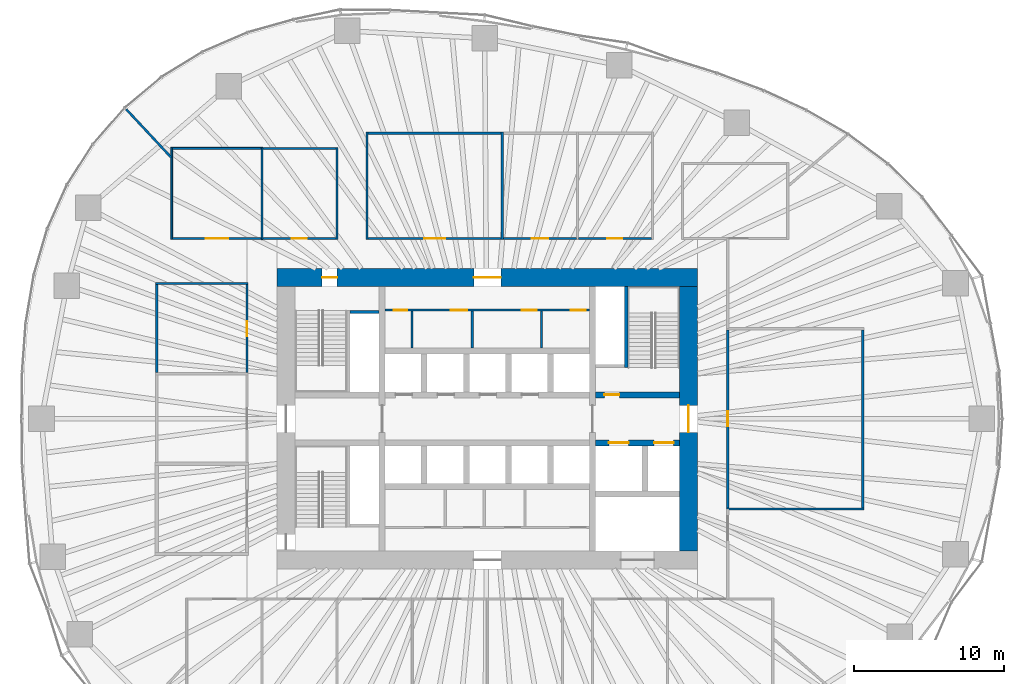
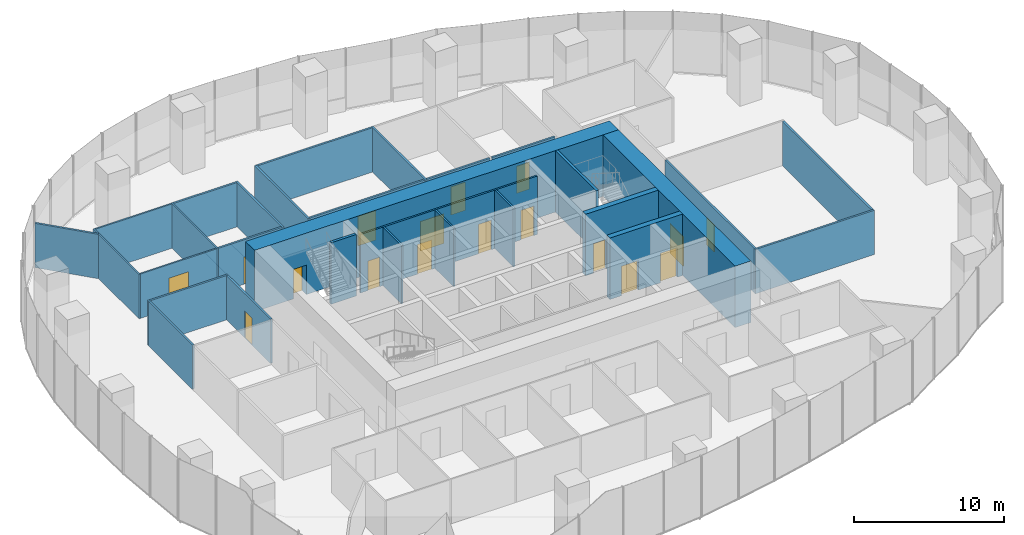
# One storey, part 11 of 20: 30 walls, 17 doors, 17 openings.
"""IFC4 building model written with IfcOpenShell, lengths in metres."""

from ifc_helpers import new_model, si_unit, direction, frame, frame_2d, origin, place, context, subcontext, project, spatial, rectangle, extrude, material, layer, layer_set, type_object, element, fill, save


model = new_model("IFC4")

# Units and contexts
model_context = context("Model", 3, precision=1e-05, world=origin(), true_north=direction((0.0, 1.0)))
body_context = subcontext(model_context, "Body", "Model", "MODEL_VIEW")
ifc_project = project(units=[si_unit("LENGTHUNIT", "METRE"), si_unit("AREAUNIT", "SQUARE_METRE"), si_unit("VOLUMEUNIT", "CUBIC_METRE"), si_unit("PLANEANGLEUNIT", "RADIAN"), si_unit("MASSUNIT", "GRAM", prefix="KILO")], contexts=[model_context])

# Site, building, storey
site_placement = place(None, origin())
site = spatial("IfcSite", under=ifc_project, at=site_placement, CompositionType="ELEMENT")
building_placement = place(site_placement, origin())
building = spatial("IfcBuilding", under=site, at=building_placement, Name="Ghaith Harvest Tower", CompositionType="ELEMENT")
storey_placement = place(building_placement, frame((0.0, 0.0, 55.0)))
storey = spatial("IfcBuildingStorey", under=building, at=storey_placement, Name="L11", CompositionType="ELEMENT", Elevation=55.0)

# Wall, openings, doors
ifc_material_1 = material(Name="Concrete blockwork, fair-faced", Category="masonry")
ifc_layer_1 = layer(ifc_material_1, 0.139892578125)
ifc_layer_set_1 = layer_set([ifc_layer_1], Name="CORE PARTITION 140")
wall_type_1 = type_object("IfcWallType", Name="CORE PARTITION 140", PredefinedType="PARTITIONING", material=ifc_layer_set_1)
wall_1_placement = place(storey_placement, frame((-6.800048828125, 7.22998046875, 0.0), z_axis=(0.0, 0.0, 1.0), x_axis=(1.0, 0.0, 0.0)))
wall_1 = element("IfcWall", 1, at=wall_1_placement, inside=storey, type_object=wall_type_1, Name="Core partition L11", PredefinedType="PARTITIONING", context=body_context, shape_type="SweptSolid", body=[
    extrude(rectangle(XDim=13.60009765625, YDim=0.139892578125, at=frame_2d((6.800048828125, 0.0))), origin(), (0.0, 0.0, 1.0), 4.75),
])
opening_1_placement = place(wall_1_placement, frame((0.580078125, 0.0, 0.0)))
opening_1 = element("IfcOpeningElement", 2, at=opening_1_placement, cuts=wall_1, Name="Opening 11-008", PredefinedType="OPENING", context=body_context, shape_type="SweptSolid", body=[
    extrude(rectangle(XDim=0.89990234375, YDim=2.39990234375, at=frame_2d((0.449951171875, 1.199951171875))), frame((0.0, 0.080078125, 0.0), z_axis=(0.0, -1.0, 0.0), x_axis=(1.0, 0.0, 0.0)), (0.0, 0.0, 1.0), 0.159912109375),
])
opening_2_placement = place(wall_1_placement, frame((4.3798828125, 0.0, 0.0)))
opening_2 = element("IfcOpeningElement", 3, at=opening_2_placement, cuts=wall_1, Name="Opening 11-009", PredefinedType="OPENING", context=body_context, shape_type="SweptSolid", body=[
    extrude(rectangle(XDim=1.10009765625, YDim=2.39990234375, at=frame_2d((0.550048828125, 1.199951171875))), frame((0.0, 0.080078125, 0.0), z_axis=(0.0, -1.0, 0.0), x_axis=(1.0, 0.0, 0.0)), (0.0, 0.0, 1.0), 0.159912109375),
])
opening_3_placement = place(wall_1_placement, frame((9.080078125, 0.0, 0.0)))
opening_3 = element("IfcOpeningElement", 4, at=opening_3_placement, cuts=wall_1, Name="Opening 11-010", PredefinedType="OPENING", context=body_context, shape_type="SweptSolid", body=[
    extrude(rectangle(XDim=1.0, YDim=2.39990234375, at=frame_2d((0.5, 1.199951171875))), frame((0.0, 0.080078125, 0.0), z_axis=(0.0, -1.0, 0.0), x_axis=(1.0, 0.0, 0.0)), (0.0, 0.0, 1.0), 0.159912109375),
])
opening_4_placement = place(wall_1_placement, frame((12.35009765625, 0.0, 0.0)))
opening_4 = element("IfcOpeningElement", 5, at=opening_4_placement, cuts=wall_1, Name="Opening 11-011", PredefinedType="OPENING", context=body_context, shape_type="SweptSolid", body=[
    extrude(rectangle(XDim=1.0, YDim=2.39990234375, at=frame_2d((0.5, 1.199951171875))), frame((0.0, 0.080078125, 0.0), z_axis=(0.0, -1.0, 0.0), x_axis=(1.0, 0.0, 0.0)), (0.0, 0.0, 1.0), 0.159912109375),
])
ifc_material_2 = material(Name="Steel fire door", Category="steel")
door_type_1 = type_object("IfcDoorType", Name="D3 FD90 1000x2400", OperationType="SINGLE_SWING_LEFT", PredefinedType="DOOR", material=ifc_material_2)
door_1_placement = place(opening_3_placement, origin())
door_1 = element("IfcDoor", 6, at=door_1_placement, inside=storey, type_object=door_type_1, Name="Male WC door", OperationType="SINGLE_SWING_RIGHT", OverallHeight=2.39990234375, OverallWidth=1.0, PredefinedType="DOOR", context=body_context, shape_type="SweptSolid", body=[
    extrude(rectangle(XDim=1.0, YDim=2.39990234375, at=frame_2d((0.5, 1.199951171875))), frame((0.0, 0.02490234375, 0.0), z_axis=(0.0, -1.0, 0.0), x_axis=(1.0, 0.0, 0.0)), (0.0, 0.0, 1.0), 0.050048828125),
])
fill(opening_3, door_1)
door_2_placement = place(opening_4_placement, origin())
door_2 = element("IfcDoor", 7, at=door_2_placement, inside=storey, type_object=door_type_1, Name="Female WC door", OperationType="SINGLE_SWING_RIGHT", OverallHeight=2.39990234375, OverallWidth=1.0, PredefinedType="DOOR", context=body_context, shape_type="SweptSolid", body=[
    extrude(rectangle(XDim=1.0, YDim=2.39990234375, at=frame_2d((0.5, 1.199951171875))), frame((0.0, 0.02490234375, 0.0), z_axis=(0.0, -1.0, 0.0), x_axis=(1.0, 0.0, 0.0)), (0.0, 0.0, 1.0), 0.050048828125),
])
fill(opening_4, door_2)
ifc_material_3 = material(Name="Steel fire door", Category="steel")
door_type_2 = type_object("IfcDoorType", Name="D5 FD90 900x2400", OperationType="SINGLE_SWING_LEFT", PredefinedType="DOOR", material=ifc_material_3)
door_3_placement = place(opening_1_placement, origin())
door_3 = element("IfcDoor", 8, at=door_3_placement, inside=storey, type_object=door_type_2, Name="Cleaner's store door", OperationType="SINGLE_SWING_LEFT", OverallHeight=2.39990234375, OverallWidth=0.89990234375, PredefinedType="DOOR", context=body_context, shape_type="SweptSolid", body=[
    extrude(rectangle(XDim=0.89990234375, YDim=2.39990234375, at=frame_2d((0.449951171875, 1.199951171875))), frame((0.0, 0.02490234375, 0.0), z_axis=(0.0, -1.0, 0.0), x_axis=(1.0, 0.0, 0.0)), (0.0, 0.0, 1.0), 0.050048828125),
])
fill(opening_1, door_3)
ifc_material_4 = material(Name="Steel fire door", Category="steel")
door_type_3 = type_object("IfcDoorType", Name="D9 FD90 1100x2400", OperationType="SINGLE_SWING_LEFT", PredefinedType="DOOR", material=ifc_material_4)
door_4_placement = place(opening_2_placement, origin())
door_4 = element("IfcDoor", 9, at=door_4_placement, inside=storey, type_object=door_type_3, Name="Accessible WC door", OperationType="SINGLE_SWING_LEFT", OverallHeight=2.39990234375, OverallWidth=1.10009765625, PredefinedType="DOOR", context=body_context, shape_type="SweptSolid", body=[
    extrude(rectangle(XDim=1.10009765625, YDim=2.39990234375, at=frame_2d((0.550048828125, 1.199951171875))), frame((0.0, 0.02490234375, 0.0), z_axis=(0.0, -1.0, 0.0), x_axis=(1.0, 0.0, 0.0)), (0.0, 0.0, 1.0), 0.050048828125),
])
fill(opening_2, door_4)

# Walls
for number, where, z_axis, x_axis, name in (
    (10, (-5.0, 4.699951171875, 0.0), (0.0, 0.0, 1.0), (0.0, 1.0, 0.0), "Core partition L11"),
    (11, (-1.0, 4.699951171875, 0.0), (0.0, 0.0, 1.0), (0.0, 1.0, 0.0), "Core partition L11"),
    (12, (3.60009765625, 4.699951171875, 0.0), (0.0, 0.0, 1.0), (0.0, 1.0, 0.0), "Core partition L11"),
):
    element("IfcWall", number, at=place(storey_placement, frame(where, z_axis=z_axis, x_axis=x_axis)), inside=storey, type_object=wall_type_1, Name=name, PredefinedType="PARTITIONING", context=body_context, shape_type="SweptSolid", body=[
        extrude(rectangle(XDim=2.4599609375, YDim=0.139892578125, at=frame_2d((1.22998046875, 0.0))), origin(), (0.0, 0.0, 1.0), 4.75),
    ])

# Wall, openings, doors
ifc_material_5 = material(Name="Concrete C70/85", Category="concrete")
ifc_layer_2 = layer(ifc_material_5, 1.199951171875)
ifc_layer_set_2 = layer_set([ifc_layer_2], Name="CORE WALL CW1200")
wall_type_2 = type_object("IfcWallType", Name="CORE WALL CW1200", PredefinedType="SHEAR", material=ifc_layer_set_2)
wall_2_placement = place(storey_placement, frame((14.0, 9.39990234375, 0.0), z_axis=(0.0, 0.0, 1.0), x_axis=(-1.0, 0.0, 0.0)))
wall_2 = element("IfcWall", 13, at=wall_2_placement, inside=storey, type_object=wall_type_2, Name="Core wall N L11", PredefinedType="SHEAR", context=body_context, shape_type="SweptSolid", body=[
    extrude(rectangle(XDim=28.0, YDim=1.199951171875, at=frame_2d((14.0, 0.0))), origin(), (0.0, 0.0, 1.0), 5.0),
])
opening_5_placement = place(wall_2_placement, frame((24.0, 0.0, 0.0)))
opening_5 = element("IfcOpeningElement", 14, at=opening_5_placement, cuts=wall_2, Name="Opening 11-005", PredefinedType="OPENING", context=body_context, shape_type="SweptSolid", body=[
    extrude(rectangle(XDim=1.0, YDim=2.39990234375, at=frame_2d((0.5, 1.199951171875))), frame((0.0, 0.60986328125, 0.0), z_axis=(0.0, -1.0, 0.0), x_axis=(1.0, 0.0, 0.0)), (0.0, 0.0, 1.0), 1.219970703125),
])
opening_6_placement = place(wall_2_placement, frame((13.10009765625, 0.0, 0.0)))
opening_6 = element("IfcOpeningElement", 15, at=opening_6_placement, cuts=wall_2, Name="Opening 11-016", PredefinedType="OPENING", context=body_context, shape_type="SweptSolid", body=[
    extrude(rectangle(XDim=1.800048828125, YDim=2.39990234375, at=frame_2d((0.89990234375, 1.199951171875))), frame((0.0, 0.60986328125, 0.0), z_axis=(0.0, -1.0, 0.0), x_axis=(1.0, 0.0, 0.0)), (0.0, 0.0, 1.0), 1.219970703125),
])
door_5_placement = place(opening_5_placement, origin())
door_5 = element("IfcDoor", 16, at=door_5_placement, inside=storey, type_object=door_type_1, Name="Stair ST1 door", OperationType="SINGLE_SWING_RIGHT", OverallHeight=2.39990234375, OverallWidth=1.0, PredefinedType="DOOR", context=body_context, shape_type="SweptSolid", body=[
    extrude(rectangle(XDim=1.0, YDim=2.39990234375, at=frame_2d((0.5, 1.199951171875))), frame((0.0, 0.02490234375, 0.0), z_axis=(0.0, -1.0, 0.0), x_axis=(1.0, 0.0, 0.0)), (0.0, 0.0, 1.0), 0.050048828125),
])
fill(opening_5, door_5)
ifc_material_6 = material(Name="Steel fire door", Category="steel")
door_type_4 = type_object("IfcDoorType", Name="D4 FD90 PAIR 1800x2400", OperationType="DOUBLE_DOOR_SINGLE_SWING", PredefinedType="DOOR", material=ifc_material_6)
door_6_placement = place(opening_6_placement, origin())
door_6 = element("IfcDoor", 17, at=door_6_placement, inside=storey, type_object=door_type_4, Name="Core service corridor doors", OperationType="DOUBLE_DOOR_SINGLE_SWING", OverallHeight=2.39990234375, OverallWidth=1.800048828125, PredefinedType="DOOR", context=body_context, shape_type="SweptSolid", body=[
    extrude(rectangle(XDim=1.800048828125, YDim=2.39990234375, at=frame_2d((0.89990234375, 1.199951171875))), frame((0.0, 0.02490234375, 0.0), z_axis=(0.0, -1.0, 0.0), x_axis=(1.0, 0.0, 0.0)), (0.0, 0.0, 1.0), 0.050048828125),
])
fill(opening_6, door_6)

# Wall, opening, door
wall_3_placement = place(storey_placement, frame((13.39990234375, -8.800048828125, 0.0), z_axis=(0.0, 0.0, 1.0), x_axis=(0.0, 1.0, 0.0)))
wall_3 = element("IfcWall", 18, at=wall_3_placement, inside=storey, type_object=wall_type_2, Name="Core wall E L11", PredefinedType="SHEAR", context=body_context, shape_type="SweptSolid", body=[
    extrude(rectangle(XDim=17.60009765625, YDim=1.199951171875, at=frame_2d((8.800048828125, 0.0))), origin(), (0.0, 0.0, 1.0), 5.0),
])
opening_7_placement = place(wall_3_placement, frame((7.89990234375, 0.0, 0.0)))
opening_7 = element("IfcOpeningElement", 19, at=opening_7_placement, cuts=wall_3, Name="Opening 11-002", PredefinedType="OPENING", context=body_context, shape_type="SweptSolid", body=[
    extrude(rectangle(XDim=1.800048828125, YDim=2.39990234375, at=frame_2d((0.89990234375, 1.199951171875))), frame((0.0, 0.60986328125, 0.0), z_axis=(0.0, -1.0, 0.0), x_axis=(1.0, 0.0, 0.0)), (0.0, 0.0, 1.0), 1.219970703125),
])
door_7_placement = place(opening_7_placement, origin())
door_7 = element("IfcDoor", 20, at=door_7_placement, inside=storey, type_object=door_type_4, Name="Fire-fighting lobby doors", OperationType="DOUBLE_DOOR_SINGLE_SWING", OverallHeight=2.39990234375, OverallWidth=1.800048828125, PredefinedType="DOOR", context=body_context, shape_type="SweptSolid", body=[
    extrude(rectangle(XDim=1.800048828125, YDim=2.39990234375, at=frame_2d((0.89990234375, 1.199951171875))), frame((0.0, 0.02490234375, 0.0), z_axis=(0.0, -1.0, 0.0), x_axis=(1.0, 0.0, 0.0)), (0.0, 0.0, 1.0), 0.050048828125),
])
fill(opening_7, door_7)

# Walls
ifc_material_7 = material(Name="Insulated food-grade panel", Category="steel")
ifc_layer_3 = layer(ifc_material_7, 0.1201171875)
ifc_layer_set_3 = layer_set([ifc_layer_3], Name="INSULATED PANEL WALL 120")
wall_type_3 = type_object("IfcWallType", Name="INSULATED PANEL WALL 120", PredefinedType="PARTITIONING", material=ifc_layer_set_3)
wall_4_placement = place(storey_placement, frame((-21.0, 11.93994140625, 0.0), z_axis=(0.0, 0.0, 1.0), x_axis=(0.0, 1.0, 0.0)))
element("IfcWall", 21, at=wall_4_placement, inside=storey, type_object=wall_type_3, Name="Partition L11 row N3 cross wall 1", PredefinedType="PARTITIONING", context=body_context, shape_type="SweptSolid", body=[
    extrude(rectangle(XDim=6.1201171875, YDim=0.1201171875, at=frame_2d((3.06005859375, 0.0))), origin(), (0.0, 0.0, 1.0), 3.60009765625),
])
wall_5_placement = place(storey_placement, frame((-15.0, 11.925048828125, 0.0), z_axis=(0.0, 0.0, 1.0), x_axis=(0.0, 1.0, 0.0)))
element("IfcWall", 22, at=wall_5_placement, inside=storey, type_object=wall_type_3, Name="Partition L11 row N3 cross wall 2", PredefinedType="PARTITIONING", context=body_context, shape_type="SweptSolid", body=[
    extrude(rectangle(XDim=6.14990234375, YDim=0.1201171875, at=frame_2d((3.074951171875, 0.0))), origin(), (0.0, 0.0, 1.0), 3.60009765625),
])

# Wall, opening, door
wall_6_placement = place(storey_placement, frame((-20.93994140625, 12.0, 0.0), z_axis=(0.0, 0.0, 1.0), x_axis=(1.0, 0.0, 0.0)))
wall_6 = element("IfcWall", 23, at=wall_6_placement, inside=storey, type_object=wall_type_3, Name="Partition L11-08", PredefinedType="PARTITIONING", context=body_context, shape_type="SweptSolid", body=[
    extrude(rectangle(XDim=5.8798828125, YDim=0.1201171875, at=frame_2d((2.93994140625, 0.0))), origin(), (0.0, 0.0, 1.0), 3.60009765625),
])
opening_8_placement = place(wall_6_placement, frame((2.18994140625, 0.0, 0.0)))
opening_8 = element("IfcOpeningElement", 24, at=opening_8_placement, cuts=wall_6, Name="Opening 11-032", PredefinedType="OPENING", context=body_context, shape_type="SweptSolid", body=[
    extrude(rectangle(XDim=1.5, YDim=2.5, at=frame_2d((0.75, 1.25))), frame((0.0, 0.070068359375, 0.0), z_axis=(0.0, -1.0, 0.0), x_axis=(1.0, 0.0, 0.0)), (0.0, 0.0, 1.0), 0.14013671875),
])
ifc_material_8 = material(Name="Insulated steel sliding door", Category="steel")
door_type_5 = type_object("IfcDoorType", Name="D13 COLD STORE SLIDING 1500x2500", OperationType="SLIDING_TO_LEFT", PredefinedType="DOOR", material=ifc_material_8)
door_8_placement = place(opening_8_placement, origin())
door_8 = element("IfcDoor", 25, at=door_8_placement, inside=storey, type_object=door_type_5, Name="Germination room door", OperationType="SLIDING_TO_LEFT", OverallHeight=2.5, OverallWidth=1.5, PredefinedType="DOOR", context=body_context, shape_type="SweptSolid", body=[
    extrude(rectangle(XDim=1.5, YDim=2.5, at=frame_2d((0.75, 1.25))), frame((0.0, 0.02490234375, 0.0), z_axis=(0.0, -1.0, 0.0), x_axis=(1.0, 0.0, 0.0)), (0.0, 0.0, 1.0), 0.050048828125),
])
fill(opening_8, door_8)

# Walls
wall_7_placement = place(storey_placement, frame((-20.93994140625, 18.0, 0.0), z_axis=(0.0, 0.0, 1.0), x_axis=(1.0, 0.0, 0.0)))
element("IfcWall", 26, at=wall_7_placement, inside=storey, type_object=wall_type_3, Name="Partition L11-08", PredefinedType="PARTITIONING", context=body_context, shape_type="SweptSolid", body=[
    extrude(rectangle(XDim=5.8798828125, YDim=0.1201171875, at=frame_2d((2.93994140625, 0.0))), origin(), (0.0, 0.0, 1.0), 3.60009765625),
])
ifc_material_9 = material(Name="Gypsum board on steel studs", Category="steel")
ifc_layer_4 = layer(ifc_material_9, 0.14990234375)
ifc_layer_set_4 = layer_set([ifc_layer_4], Name="PARTITION 150")
wall_type_4 = type_object("IfcWallType", Name="PARTITION 150", PredefinedType="PARTITIONING", material=ifc_layer_set_4)
wall_8_placement = place(storey_placement, frame((-10.0, 11.925048828125, 0.0), z_axis=(0.0, 0.0, 1.0), x_axis=(0.0, 1.0, 0.0)))
element("IfcWall", 27, at=wall_8_placement, inside=storey, type_object=wall_type_4, Name="Partition L11 row N3 cross wall 3", PredefinedType="PARTITIONING", context=body_context, shape_type="SweptSolid", body=[
    extrude(rectangle(XDim=6.14990234375, YDim=0.14990234375, at=frame_2d((3.074951171875, 0.0))), origin(), (0.0, 0.0, 1.0), 3.60009765625),
])

# Wall, opening, door
wall_9_placement = place(storey_placement, frame((-14.93994140625, 12.0, 0.0), z_axis=(0.0, 0.0, 1.0), x_axis=(1.0, 0.0, 0.0)))
wall_9 = element("IfcWall", 28, at=wall_9_placement, inside=storey, type_object=wall_type_4, Name="Partition L11-09", PredefinedType="PARTITIONING", context=body_context, shape_type="SweptSolid", body=[
    extrude(rectangle(XDim=4.864990234375, YDim=0.14990234375, at=frame_2d((2.4326171875, 0.0))), origin(), (0.0, 0.0, 1.0), 3.60009765625),
])
opening_9_placement = place(wall_9_placement, frame((1.9326171875, 0.0, 0.0)))
opening_9 = element("IfcOpeningElement", 29, at=opening_9_placement, cuts=wall_9, Name="Opening 11-033", PredefinedType="OPENING", context=body_context, shape_type="SweptSolid", body=[
    extrude(rectangle(XDim=1.0, YDim=2.199951171875, at=frame_2d((0.5, 1.10009765625))), frame((0.0, 0.0849609375, 0.0), z_axis=(0.0, -1.0, 0.0), x_axis=(1.0, 0.0, 0.0)), (0.0, 0.0, 1.0), 0.169921875),
])
ifc_material_10 = material(Name="Timber door", Category="wood")
door_type_6 = type_object("IfcDoorType", Name="D1 SINGLE 1000x2200", OperationType="SINGLE_SWING_LEFT", PredefinedType="DOOR", material=ifc_material_10)
door_9_placement = place(opening_9_placement, origin())
door_9 = element("IfcDoor", 30, at=door_9_placement, inside=storey, type_object=door_type_6, Name="Seed store door", OperationType="SINGLE_SWING_LEFT", OverallHeight=2.199951171875, OverallWidth=1.0, PredefinedType="DOOR", context=body_context, shape_type="SweptSolid", body=[
    extrude(rectangle(XDim=1.0, YDim=2.199951171875, at=frame_2d((0.5, 1.10009765625))), frame((0.0, 0.02490234375, 0.0), z_axis=(0.0, -1.0, 0.0), x_axis=(1.0, 0.0, 0.0)), (0.0, 0.0, 1.0), 0.050048828125),
])
fill(opening_9, door_9)

# Walls
wall_10_placement = place(storey_placement, frame((-14.93994140625, 18.0, 0.0), z_axis=(0.0, 0.0, 1.0), x_axis=(1.0, 0.0, 0.0)))
element("IfcWall", 31, at=wall_10_placement, inside=storey, type_object=wall_type_4, Name="Partition L11-09", PredefinedType="PARTITIONING", context=body_context, shape_type="SweptSolid", body=[
    extrude(rectangle(XDim=4.864990234375, YDim=0.14990234375, at=frame_2d((2.4326171875, 0.0))), origin(), (0.0, 0.0, 1.0), 3.60009765625),
])
for number, where, z_axis, x_axis, name in (
    (32, (-8.0, 11.925048828125, 0.0), (0.0, 0.0, 1.0), (0.0, 1.0, 0.0), "Partition L11 row N4 cross wall 1"),
    (33, (1.0, 11.925048828125, 0.0), (0.0, 0.0, 1.0), (0.0, 1.0, 0.0), "Partition L11 row N4 cross wall 2"),
):
    element("IfcWall", number, at=place(storey_placement, frame(where, z_axis=z_axis, x_axis=x_axis)), inside=storey, type_object=wall_type_4, Name=name, PredefinedType="PARTITIONING", context=body_context, shape_type="SweptSolid", body=[
        extrude(rectangle(XDim=7.14990234375, YDim=0.14990234375, at=frame_2d((3.574951171875, 0.0))), origin(), (0.0, 0.0, 1.0), 3.60009765625),
    ])

# Wall, opening, door
wall_11_placement = place(storey_placement, frame((-7.925048828125, 12.0, 0.0), z_axis=(0.0, 0.0, 1.0), x_axis=(1.0, 0.0, 0.0)))
wall_11 = element("IfcWall", 34, at=wall_11_placement, inside=storey, type_object=wall_type_4, Name="Partition L11-10", PredefinedType="PARTITIONING", context=body_context, shape_type="SweptSolid", body=[
    extrude(rectangle(XDim=8.85009765625, YDim=0.14990234375, at=frame_2d((4.425048828125, 0.0))), origin(), (0.0, 0.0, 1.0), 3.60009765625),
])
opening_10_placement = place(wall_11_placement, frame((3.72509765625, 0.0, 0.0)))
opening_10 = element("IfcOpeningElement", 35, at=opening_10_placement, cuts=wall_11, Name="Opening 11-034", PredefinedType="OPENING", context=body_context, shape_type="SweptSolid", body=[
    extrude(rectangle(XDim=1.39990234375, YDim=2.39990234375, at=frame_2d((0.699951171875, 1.199951171875))), frame((0.0, 0.0849609375, 0.0), z_axis=(0.0, -1.0, 0.0), x_axis=(1.0, 0.0, 0.0)), (0.0, 0.0, 1.0), 0.169921875),
])
ifc_material_11 = material(Name="Stainless steel faced door pair", Category="steel")
door_type_7 = type_object("IfcDoorType", Name="D14 HYGIENE PAIR 1400x2400", OperationType="DOUBLE_DOOR_DOUBLE_SWING", PredefinedType="DOOR", material=ifc_material_11)
door_10_placement = place(opening_10_placement, origin())
door_10 = element("IfcDoor", 36, at=door_10_placement, inside=storey, type_object=door_type_7, Name="Harvest room door", OperationType="DOUBLE_DOOR_DOUBLE_SWING", OverallHeight=2.39990234375, OverallWidth=1.39990234375, PredefinedType="DOOR", context=body_context, shape_type="SweptSolid", body=[
    extrude(rectangle(XDim=1.39990234375, YDim=2.39990234375, at=frame_2d((0.699951171875, 1.199951171875))), frame((0.0, 0.02490234375, 0.0), z_axis=(0.0, -1.0, 0.0), x_axis=(1.0, 0.0, 0.0)), (0.0, 0.0, 1.0), 0.050048828125),
])
fill(opening_10, door_10)

# Wall
wall_12_placement = place(storey_placement, frame((-7.925048828125, 19.0, 0.0), z_axis=(0.0, 0.0, 1.0), x_axis=(1.0, 0.0, 0.0)))
element("IfcWall", 37, at=wall_12_placement, inside=storey, type_object=wall_type_4, Name="Partition L11-10", PredefinedType="PARTITIONING", context=body_context, shape_type="SweptSolid", body=[
    extrude(rectangle(XDim=8.85009765625, YDim=0.14990234375, at=frame_2d((4.425048828125, 0.0))), origin(), (0.0, 0.0, 1.0), 3.60009765625),
])

# Wall, opening, door
wall_13_placement = place(storey_placement, frame((1.074951171875, 12.0, 0.0), z_axis=(0.0, 0.0, 1.0), x_axis=(1.0, 0.0, 0.0)))
wall_13 = element("IfcWall", 38, at=wall_13_placement, inside=storey, type_object=wall_type_4, Name="Partition L11-11", PredefinedType="PARTITIONING", context=body_context, shape_type="SweptSolid", body=[
    extrude(rectangle(XDim=4.85009765625, YDim=0.14990234375, at=frame_2d((2.425048828125, 0.0))), origin(), (0.0, 0.0, 1.0), 3.60009765625),
])
opening_11_placement = place(wall_13_placement, frame((1.875, 0.0, 0.0)))
opening_11 = element("IfcOpeningElement", 39, at=opening_11_placement, cuts=wall_13, Name="Opening 11-035", PredefinedType="OPENING", context=body_context, shape_type="SweptSolid", body=[
    extrude(rectangle(XDim=1.10009765625, YDim=2.300048828125, at=frame_2d((0.550048828125, 1.14990234375))), frame((0.0, 0.0849609375, 0.0), z_axis=(0.0, -1.0, 0.0), x_axis=(1.0, 0.0, 0.0)), (0.0, 0.0, 1.0), 0.169921875),
])
ifc_material_12 = material(Name="Timber-framed glazed door", Category="wood")
door_type_8 = type_object("IfcDoorType", Name="D12 GLAZED OFFICE 1100x2300", OperationType="SINGLE_SWING_LEFT", PredefinedType="DOOR", material=ifc_material_12)
door_11_placement = place(opening_11_placement, origin())
door_11 = element("IfcDoor", 40, at=door_11_placement, inside=storey, type_object=door_type_8, Name="Growing office door", OperationType="SINGLE_SWING_LEFT", OverallHeight=2.300048828125, OverallWidth=1.10009765625, PredefinedType="DOOR", context=body_context, shape_type="SweptSolid", body=[
    extrude(rectangle(XDim=1.10009765625, YDim=2.300048828125, at=frame_2d((0.550048828125, 1.14990234375))), frame((0.0, 0.02490234375, 0.0), z_axis=(0.0, -1.0, 0.0), x_axis=(1.0, 0.0, 0.0)), (0.0, 0.0, 1.0), 0.050048828125),
])
fill(opening_11, door_11)

wall_14_placement = place(storey_placement, frame((6.074951171875, 12.0, 0.0), z_axis=(0.0, 0.0, 1.0), x_axis=(1.0, 0.0, 0.0)))
wall_14 = element("IfcWall", 41, at=wall_14_placement, inside=storey, type_object=wall_type_4, Name="Partition L11-12", PredefinedType="PARTITIONING", context=body_context, shape_type="SweptSolid", body=[
    extrude(rectangle(XDim=4.85009765625, YDim=0.14990234375, at=frame_2d((2.425048828125, 0.0))), origin(), (0.0, 0.0, 1.0), 3.60009765625),
])
opening_12_placement = place(wall_14_placement, frame((1.925048828125, 0.0, 0.0)))
opening_12 = element("IfcOpeningElement", 42, at=opening_12_placement, cuts=wall_14, Name="Opening 11-036", PredefinedType="OPENING", context=body_context, shape_type="SweptSolid", body=[
    extrude(rectangle(XDim=1.0, YDim=2.199951171875, at=frame_2d((0.5, 1.10009765625))), frame((0.0, 0.0849609375, 0.0), z_axis=(0.0, -1.0, 0.0), x_axis=(1.0, 0.0, 0.0)), (0.0, 0.0, 1.0), 0.169921875),
])
door_12_placement = place(opening_12_placement, origin())
door_12 = element("IfcDoor", 43, at=door_12_placement, inside=storey, type_object=door_type_6, Name="Staff room door", OperationType="SINGLE_SWING_LEFT", OverallHeight=2.199951171875, OverallWidth=1.0, PredefinedType="DOOR", context=body_context, shape_type="SweptSolid", body=[
    extrude(rectangle(XDim=1.0, YDim=2.199951171875, at=frame_2d((0.5, 1.10009765625))), frame((0.0, 0.02490234375, 0.0), z_axis=(0.0, -1.0, 0.0), x_axis=(1.0, 0.0, 0.0)), (0.0, 0.0, 1.0), 0.050048828125),
])
fill(opening_12, door_12)

# Wall
wall_15_placement = place(storey_placement, frame((15.925048828125, -6.0, 0.0), z_axis=(0.0, 0.0, 1.0), x_axis=(1.0, 0.0, 0.0)))
element("IfcWall", 44, at=wall_15_placement, inside=storey, type_object=wall_type_4, Name="Partition L11 row E5 cross wall 1", PredefinedType="PARTITIONING", context=body_context, shape_type="SweptSolid", body=[
    extrude(rectangle(XDim=9.14990234375, YDim=0.14990234375, at=frame_2d((4.574951171875, 0.0))), origin(), (0.0, 0.0, 1.0), 3.60009765625),
])

# Wall, opening, door
wall_16_placement = place(storey_placement, frame((16.0, -5.925048828125, 0.0), z_axis=(0.0, 0.0, 1.0), x_axis=(0.0, 1.0, 0.0)))
wall_16 = element("IfcWall", 45, at=wall_16_placement, inside=storey, type_object=wall_type_4, Name="Partition L11-13", PredefinedType="PARTITIONING", context=body_context, shape_type="SweptSolid", body=[
    extrude(rectangle(XDim=11.85009765625, YDim=0.14990234375, at=frame_2d((5.925048828125, 0.0))), origin(), (0.0, 0.0, 1.0), 3.60009765625),
])
opening_13_placement = place(wall_16_placement, frame((5.425048828125, 0.0, 0.0)))
opening_13 = element("IfcOpeningElement", 46, at=opening_13_placement, cuts=wall_16, Name="Opening 11-037", PredefinedType="OPENING", context=body_context, shape_type="SweptSolid", body=[
    extrude(rectangle(XDim=1.0, YDim=2.199951171875, at=frame_2d((0.5, 1.10009765625))), frame((0.0, 0.0849609375, 0.0), z_axis=(0.0, -1.0, 0.0), x_axis=(1.0, 0.0, 0.0)), (0.0, 0.0, 1.0), 0.169921875),
])
door_13_placement = place(opening_13_placement, origin())
door_13 = element("IfcDoor", 47, at=door_13_placement, inside=storey, type_object=door_type_6, Name="Crop research room door", OperationType="SINGLE_SWING_LEFT", OverallHeight=2.199951171875, OverallWidth=1.0, PredefinedType="DOOR", context=body_context, shape_type="SweptSolid", body=[
    extrude(rectangle(XDim=1.0, YDim=2.199951171875, at=frame_2d((0.5, 1.10009765625))), frame((0.0, 0.02490234375, 0.0), z_axis=(0.0, -1.0, 0.0), x_axis=(1.0, 0.0, 0.0)), (0.0, 0.0, 1.0), 0.050048828125),
])
fill(opening_13, door_13)

# Walls
wall_17_placement = place(storey_placement, frame((25.0, -5.925048828125, 0.0), z_axis=(0.0, 0.0, 1.0), x_axis=(0.0, 1.0, 0.0)))
element("IfcWall", 48, at=wall_17_placement, inside=storey, type_object=wall_type_4, Name="Partition L11-13", PredefinedType="PARTITIONING", context=body_context, shape_type="SweptSolid", body=[
    extrude(rectangle(XDim=11.85009765625, YDim=0.14990234375, at=frame_2d((5.925048828125, 0.0))), origin(), (0.0, 0.0, 1.0), 3.60009765625),
])
wall_18_placement = place(storey_placement, frame((-15.925048828125, 9.0, 0.0), z_axis=(0.0, 0.0, 1.0), x_axis=(-1.0, 0.0, 0.0)))
element("IfcWall", 49, at=wall_18_placement, inside=storey, type_object=wall_type_4, Name="Partition L11 row W6 cross wall 4", PredefinedType="PARTITIONING", context=body_context, shape_type="SweptSolid", body=[
    extrude(rectangle(XDim=6.14990234375, YDim=0.14990234375, at=frame_2d((3.074951171875, 0.0))), origin(), (0.0, 0.0, 1.0), 3.60009765625),
])

# Wall, opening, door
wall_19_placement = place(storey_placement, frame((-16.0, 3.074951171875, 0.0), z_axis=(0.0, 0.0, 1.0), x_axis=(0.0, 1.0, 0.0)))
wall_19 = element("IfcWall", 50, at=wall_19_placement, inside=storey, type_object=wall_type_4, Name="Partition L11-16", PredefinedType="PARTITIONING", context=body_context, shape_type="SweptSolid", body=[
    extrude(rectangle(XDim=5.85009765625, YDim=0.14990234375, at=frame_2d((2.925048828125, 0.0))), origin(), (0.0, 0.0, 1.0), 3.60009765625),
])
opening_14_placement = place(wall_19_placement, frame((2.425048828125, 0.0, 0.0)))
opening_14 = element("IfcOpeningElement", 51, at=opening_14_placement, cuts=wall_19, Name="Opening 11-040", PredefinedType="OPENING", context=body_context, shape_type="SweptSolid", body=[
    extrude(rectangle(XDim=1.0, YDim=2.199951171875, at=frame_2d((0.5, 1.10009765625))), frame((0.0, 0.0849609375, 0.0), z_axis=(0.0, -1.0, 0.0), x_axis=(1.0, 0.0, 0.0)), (0.0, 0.0, 1.0), 0.169921875),
])
door_14_placement = place(opening_14_placement, origin())
door_14 = element("IfcDoor", 52, at=door_14_placement, inside=storey, type_object=door_type_6, Name="Store door", OperationType="SINGLE_SWING_LEFT", OverallHeight=2.199951171875, OverallWidth=1.0, PredefinedType="DOOR", context=body_context, shape_type="SweptSolid", body=[
    extrude(rectangle(XDim=1.0, YDim=2.199951171875, at=frame_2d((0.5, 1.10009765625))), frame((0.0, 0.02490234375, 0.0), z_axis=(0.0, -1.0, 0.0), x_axis=(1.0, 0.0, 0.0)), (0.0, 0.0, 1.0), 0.050048828125),
])
fill(opening_14, door_14)

# Walls
wall_20_placement = place(storey_placement, frame((-22.0, 3.074951171875, 0.0), z_axis=(0.0, 0.0, 1.0), x_axis=(0.0, 1.0, 0.0)))
element("IfcWall", 53, at=wall_20_placement, inside=storey, type_object=wall_type_4, Name="Partition L11-16", PredefinedType="PARTITIONING", context=body_context, shape_type="SweptSolid", body=[
    extrude(rectangle(XDim=5.85009765625, YDim=0.14990234375, at=frame_2d((2.925048828125, 0.0))), origin(), (0.0, 0.0, 1.0), 3.60009765625),
])
wall_21_placement = place(storey_placement, frame((-21.02001953125, 17.37548828125, 0.0), z_axis=(0.0, 0.0, 1.0), x_axis=(-0.682511222631, 0.730875113123, 0.0)))
element("IfcWall", 54, at=wall_21_placement, inside=storey, type_object=wall_type_4, Name="Partition L11 zone division", PredefinedType="PARTITIONING", context=body_context, shape_type="SweptSolid", body=[
    extrude(rectangle(XDim=4.4169921875, YDim=0.14990234375, at=frame_2d((2.20849609375, 0.0))), origin(), (0.0, 0.0, 1.0), 3.60009765625),
])

# Wall, opening, door
ifc_material_13 = material(Name="Concrete C70/85", Category="concrete")
ifc_layer_5 = layer(ifc_material_13, 0.39990234375)
ifc_layer_set_5 = layer_set([ifc_layer_5], Name="SHAFT WALL 400")
wall_type_5 = type_object("IfcWallType", Name="SHAFT WALL 400", PredefinedType="SHEAR", material=ifc_layer_set_5)
wall_22_placement = place(storey_placement, frame((7.199951171875, 1.60009765625, 0.0), z_axis=(0.0, 0.0, 1.0), x_axis=(1.0, 0.0, 0.0)))
wall_22 = element("IfcWall", 55, at=wall_22_placement, inside=storey, type_object=wall_type_5, Name="Shaft wall EN L11", PredefinedType="SHEAR", context=body_context, shape_type="SweptSolid", body=[
    extrude(rectangle(XDim=5.60009765625, YDim=0.39990234375, at=frame_2d((2.800048828125, 0.0))), origin(), (0.0, 0.0, 1.0), 5.0),
])
opening_15_placement = place(wall_22_placement, frame((0.60009765625, 0.0, 0.0)))
opening_15 = element("IfcOpeningElement", 56, at=opening_15_placement, cuts=wall_22, Name="Opening 11-007", PredefinedType="OPENING", context=body_context, shape_type="SweptSolid", body=[
    extrude(rectangle(XDim=1.0, YDim=2.39990234375, at=frame_2d((0.5, 1.199951171875))), frame((0.0, 0.2099609375, 0.0), z_axis=(0.0, -1.0, 0.0), x_axis=(1.0, 0.0, 0.0)), (0.0, 0.0, 1.0), 0.419921875),
])
door_15_placement = place(opening_15_placement, origin())
door_15 = element("IfcDoor", 57, at=door_15_placement, inside=storey, type_object=door_type_1, Name="Stair ST2 door", OperationType="SINGLE_SWING_LEFT", OverallHeight=2.39990234375, OverallWidth=1.0, PredefinedType="DOOR", context=body_context, shape_type="SweptSolid", body=[
    extrude(rectangle(XDim=1.0, YDim=2.39990234375, at=frame_2d((0.5, 1.199951171875))), frame((0.0, 0.02490234375, 0.0), z_axis=(0.0, -1.0, 0.0), x_axis=(1.0, 0.0, 0.0)), (0.0, 0.0, 1.0), 0.050048828125),
])
fill(opening_15, door_15)

# Wall, openings, doors
wall_23_placement = place(storey_placement, frame((7.199951171875, -1.60009765625, 0.0), z_axis=(0.0, 0.0, 1.0), x_axis=(1.0, 0.0, 0.0)))
wall_23 = element("IfcWall", 58, at=wall_23_placement, inside=storey, type_object=wall_type_5, Name="Shaft wall ES L11", PredefinedType="SHEAR", context=body_context, shape_type="SweptSolid", body=[
    extrude(rectangle(XDim=5.60009765625, YDim=0.39990234375, at=frame_2d((2.800048828125, 0.0))), origin(), (0.0, 0.0, 1.0), 5.0),
])
opening_16_placement = place(wall_23_placement, frame((0.89990234375, 0.0, 0.0)))
opening_16 = element("IfcOpeningElement", 59, at=opening_16_placement, cuts=wall_23, Name="Opening 11-022", PredefinedType="OPENING", context=body_context, shape_type="SweptSolid", body=[
    extrude(rectangle(XDim=1.300048828125, YDim=2.39990234375, at=frame_2d((0.64990234375, 1.199951171875))), frame((0.0, 0.2099609375, 0.0), z_axis=(0.0, -1.0, 0.0), x_axis=(1.0, 0.0, 0.0)), (0.0, 0.0, 1.0), 0.419921875),
])
opening_17_placement = place(wall_23_placement, frame((3.89990234375, 0.0, 0.0)))
opening_17 = element("IfcOpeningElement", 60, at=opening_17_placement, cuts=wall_23, Name="Opening 11-023", PredefinedType="OPENING", context=body_context, shape_type="SweptSolid", body=[
    extrude(rectangle(XDim=1.300048828125, YDim=2.39990234375, at=frame_2d((0.64990234375, 1.199951171875))), frame((0.0, 0.2099609375, 0.0), z_axis=(0.0, -1.0, 0.0), x_axis=(1.0, 0.0, 0.0)), (0.0, 0.0, 1.0), 0.419921875),
])
ifc_material_14 = material(Name="Steel fire door", Category="steel")
door_type_9 = type_object("IfcDoorType", Name="LD2 LANDING 1300x2400", OperationType="DOUBLE_DOOR_SLIDING", PredefinedType="DOOR", material=ifc_material_14)
door_16_placement = place(opening_16_placement, origin())
door_16 = element("IfcDoor", 61, at=door_16_placement, inside=storey, type_object=door_type_9, Name="Landing door, fire service lift FL1", OperationType="DOUBLE_DOOR_SLIDING", OverallHeight=2.39990234375, OverallWidth=1.300048828125, PredefinedType="DOOR", context=body_context, shape_type="SweptSolid", body=[
    extrude(rectangle(XDim=1.300048828125, YDim=2.39990234375, at=frame_2d((0.64990234375, 1.199951171875))), frame((0.0, 0.02490234375, 0.0), z_axis=(0.0, -1.0, 0.0), x_axis=(1.0, 0.0, 0.0)), (0.0, 0.0, 1.0), 0.050048828125),
])
fill(opening_16, door_16)
door_17_placement = place(opening_17_placement, origin())
door_17 = element("IfcDoor", 62, at=door_17_placement, inside=storey, type_object=door_type_9, Name="Landing door, fire service lift FL2", OperationType="DOUBLE_DOOR_SLIDING", OverallHeight=2.39990234375, OverallWidth=1.300048828125, PredefinedType="DOOR", context=body_context, shape_type="SweptSolid", body=[
    extrude(rectangle(XDim=1.300048828125, YDim=2.39990234375, at=frame_2d((0.64990234375, 1.199951171875))), frame((0.0, 0.02490234375, 0.0), z_axis=(0.0, -1.0, 0.0), x_axis=(1.0, 0.0, 0.0)), (0.0, 0.0, 1.0), 0.050048828125),
])
fill(opening_17, door_17)

# Walls
ifc_material_15 = material(Name="Concrete C40/50", Category="concrete")
ifc_layer_6 = layer(ifc_material_15, 0.199951171875)
ifc_layer_set_6 = layer_set([ifc_layer_6], Name="STAIR SPINE WALL RC200")
wall_type_6 = type_object("IfcWallType", Name="STAIR SPINE WALL RC200", PredefinedType="SOLIDWALL", material=ifc_layer_set_6)
wall_24_placement = place(storey_placement, frame((-9.14990234375, 7.10009765625, 0.0), z_axis=(0.0, 0.0, 1.0), x_axis=(1.0, 0.0, 0.0)))
element("IfcWall", 63, at=wall_24_placement, inside=storey, type_object=wall_type_6, Name="Stair ST1 spine wall return L11", PredefinedType="SOLIDWALL", context=body_context, shape_type="SweptSolid", body=[
    extrude(rectangle(XDim=1.949951171875, YDim=0.199951171875, at=frame_2d((0.97509765625, 0.0))), origin(), (0.0, 0.0, 1.0), 5.0),
])
wall_25_placement = place(storey_placement, frame((9.25, 3.39990234375, 0.0), z_axis=(0.0, 0.0, 1.0), x_axis=(0.0, 1.0, 0.0)))
element("IfcWall", 64, at=wall_25_placement, inside=storey, type_object=wall_type_6, Name="Stair ST2 spine wall L11", PredefinedType="SOLIDWALL", context=body_context, shape_type="SweptSolid", body=[
    extrude(rectangle(XDim=5.400146484375, YDim=0.199951171875, at=frame_2d((2.7001953125, 0.0))), origin(), (0.0, 0.0, 1.0), 5.0),
])

save(model, "model.ifc")
